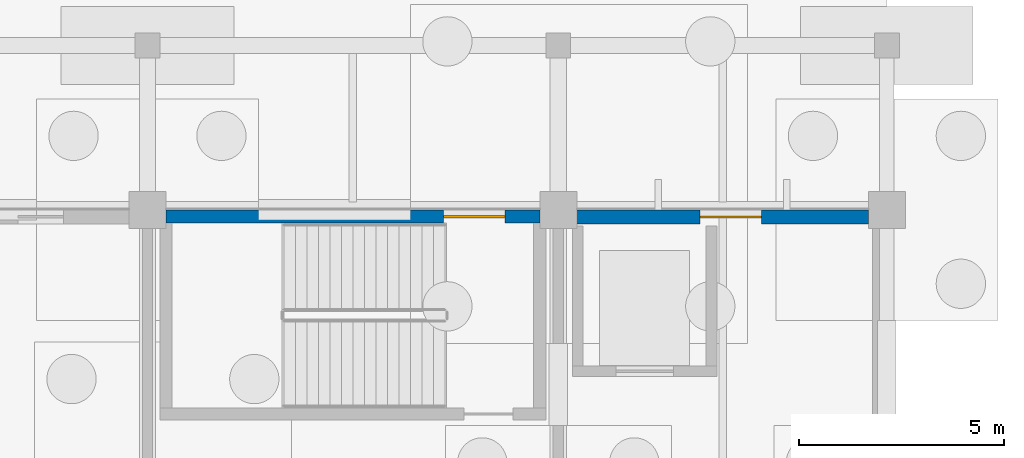
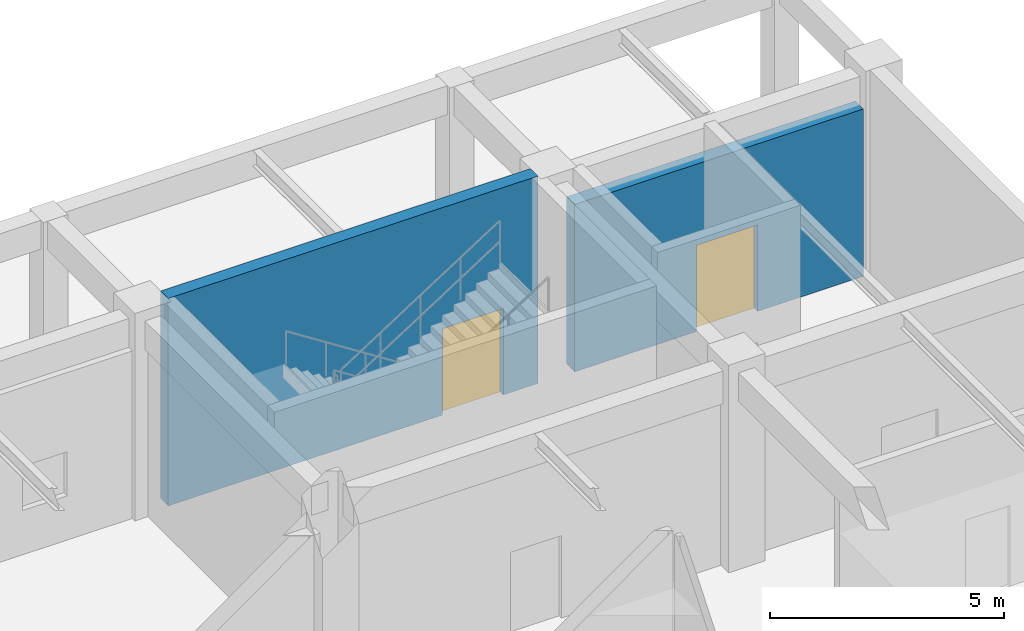
# One storey, part 84 of 99: 2 doors, 2 walls, 2 openings.
"""IFC4 building model written with IfcOpenShell, lengths in metres."""

from ifc_helpers import new_model, si_unit, direction, frame, frame_2d, origin, place, context, subcontext, project, spatial, rectangle, extrude, material, layer, layer_set, type_object, element, fill, save


model = new_model("IFC4")

# Units and contexts
model_context = context("Model", 3, precision=1e-05, world=origin(), true_north=direction((0.0, 1.0)))
body_context = subcontext(model_context, "Body", "Model", "MODEL_VIEW")
ifc_project = project(units=[si_unit("LENGTHUNIT", "METRE"), si_unit("AREAUNIT", "SQUARE_METRE"), si_unit("VOLUMEUNIT", "CUBIC_METRE"), si_unit("PLANEANGLEUNIT", "RADIAN"), si_unit("MASSUNIT", "GRAM", prefix="KILO")], contexts=[model_context])

# Site, building, storey
site_placement = place(None, origin())
site = spatial("IfcSite", under=ifc_project, at=site_placement, CompositionType="ELEMENT")
building_placement = place(site_placement, origin())
building = spatial("IfcBuilding", under=site, at=building_placement, Name="Kivolera Central Railway Station", CompositionType="ELEMENT")
storey_placement = place(building_placement, origin())
storey = spatial("IfcBuildingStorey", under=building, at=storey_placement, Name="L00", CompositionType="ELEMENT", Elevation=0.0)

# Wall, opening, door
ifc_material_1 = material(Name="Concrete C40/50", Category="concrete")
ifc_layer_1 = layer(ifc_material_1, 0.320068359375, Name="Concrete C40/50")
ifc_layer_set_1 = layer_set([ifc_layer_1], Name="Concrete C40/50")
wall_type_1 = type_object("IfcWallType", Name="WL-CORE-EXT-320", PredefinedType="SHEAR", material=ifc_layer_set_1)
wall_1_placement = place(storey_placement, frame((178.445068359375, 133.840087890625, 0.0), z_axis=(0.0, 0.0, 1.0), x_axis=(1.0, 0.0, 0.0)))
wall_1 = element("IfcWall", 1, at=wall_1_placement, inside=storey, type_object=wall_type_1, Name="L00 North Street Facade Wall Bay 7", PredefinedType="SHEAR", context=body_context, shape_type="SweptSolid", body=[
    extrude(rectangle(XDim=9.10986328125, YDim=0.320068359375, at=frame_2d((4.554931640625, 0.0))), origin(), (0.0, 0.0, 1.0), 5.39990234375),
])
opening_1_placement = place(wall_1_placement, frame((6.7548828125, 0.0, 0.0)))
opening_1 = element("IfcOpeningElement", 2, at=opening_1_placement, cuts=wall_1, Name="Opening ED-FD60-1500", PredefinedType="OPENING", context=body_context, shape_type="SweptSolid", body=[
    extrude(rectangle(XDim=1.5, YDim=2.25, at=frame_2d((0.75, 1.125))), frame((0.0, 0.169921875, 0.0), z_axis=(0.0, -1.0, 0.0), x_axis=(1.0, 0.0, 0.0)), (0.0, 0.0, 1.0), 0.340087890625),
])
ifc_material_2 = material(Name="Anodised aluminium", Category="aluminium")
door_type = type_object("IfcDoorType", Name="DR-ED-FD60-1500", OperationType="NOTDEFINED", PredefinedType="DOOR", material=ifc_material_2)
door_1_placement = place(opening_1_placement, origin())
door_1 = element("IfcDoor", 3, at=door_1_placement, inside=storey, type_object=door_type, Name="Stair Protected Street Exit Discharge Door ED-31", OperationType="SINGLE_SWING_LEFT", OverallHeight=2.25, OverallWidth=1.5, PredefinedType="DOOR", context=body_context, shape_type="SweptSolid", body=[
    extrude(rectangle(XDim=1.5, YDim=2.25, at=frame_2d((0.75, 1.125))), frame((0.0, 0.02490234375, 0.0), z_axis=(0.0, -1.0, 0.0), x_axis=(1.0, 0.0, 0.0)), (0.0, 0.0, 1.0), 0.050048828125),
])
fill(opening_1, door_1)

ifc_material_3 = material(Name="Swahili coral limestone", Category="masonry")
ifc_layer_2 = layer(ifc_material_3, 0.340087890625, Name="Swahili coral limestone")
ifc_layer_set_2 = layer_set([ifc_layer_2], Name="Swahili coral limestone")
wall_type_2 = type_object("IfcWallType", Name="WL-EXT-PLINTH-340", PredefinedType="SOLIDWALL", material=ifc_layer_set_2)
wall_2_placement = place(storey_placement, frame((188.445068359375, 133.830078125, 0.0), z_axis=(0.0, 0.0, 1.0), x_axis=(1.0, 0.0, 0.0)))
wall_2 = element("IfcWall", 4, at=wall_2_placement, inside=storey, type_object=wall_type_2, Name="L00 North Street Facade Wall Bay 8", PredefinedType="SOLIDWALL", context=body_context, shape_type="SweptSolid", body=[
    extrude(rectangle(XDim=7.10986328125, YDim=0.340087890625, at=frame_2d((3.554931640625, 0.0))), origin(), (0.0, 0.0, 1.0), 4.35791015625),
])
opening_2_placement = place(wall_2_placement, frame((3.0048828125, 0.0, 0.0)))
opening_2 = element("IfcOpeningElement", 5, at=opening_2_placement, cuts=wall_2, Name="Opening ED-FD60-1500", PredefinedType="OPENING", context=body_context, shape_type="SweptSolid", body=[
    extrude(rectangle(XDim=1.5, YDim=2.25, at=frame_2d((0.75, 1.125))), frame((0.0, 0.179931640625, 0.0), z_axis=(0.0, -1.0, 0.0), x_axis=(1.0, 0.0, 0.0)), (0.0, 0.0, 1.0), 0.360107421875),
])
door_2_placement = place(opening_2_placement, origin())
door_2 = element("IfcDoor", 6, at=door_2_placement, inside=storey, type_object=door_type, Name="Final Exit Discharge Door ED-32", OperationType="SINGLE_SWING_RIGHT", OverallHeight=2.25, OverallWidth=1.5, PredefinedType="DOOR", context=body_context, shape_type="SweptSolid", body=[
    extrude(rectangle(XDim=1.5, YDim=2.25, at=frame_2d((0.75, 1.125))), frame((0.0, 0.02490234375, 0.0), z_axis=(0.0, -1.0, 0.0), x_axis=(1.0, 0.0, 0.0)), (0.0, 0.0, 1.0), 0.050048828125),
])
fill(opening_2, door_2)

save(model, "model.ifc")
